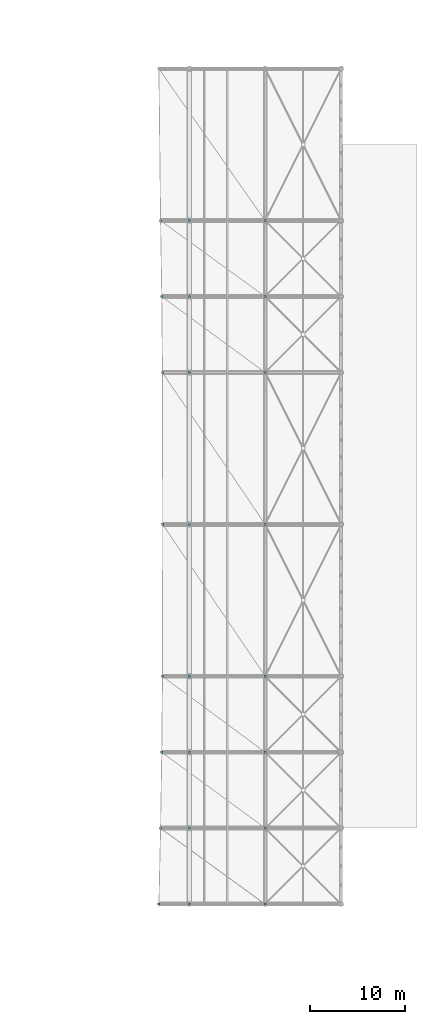
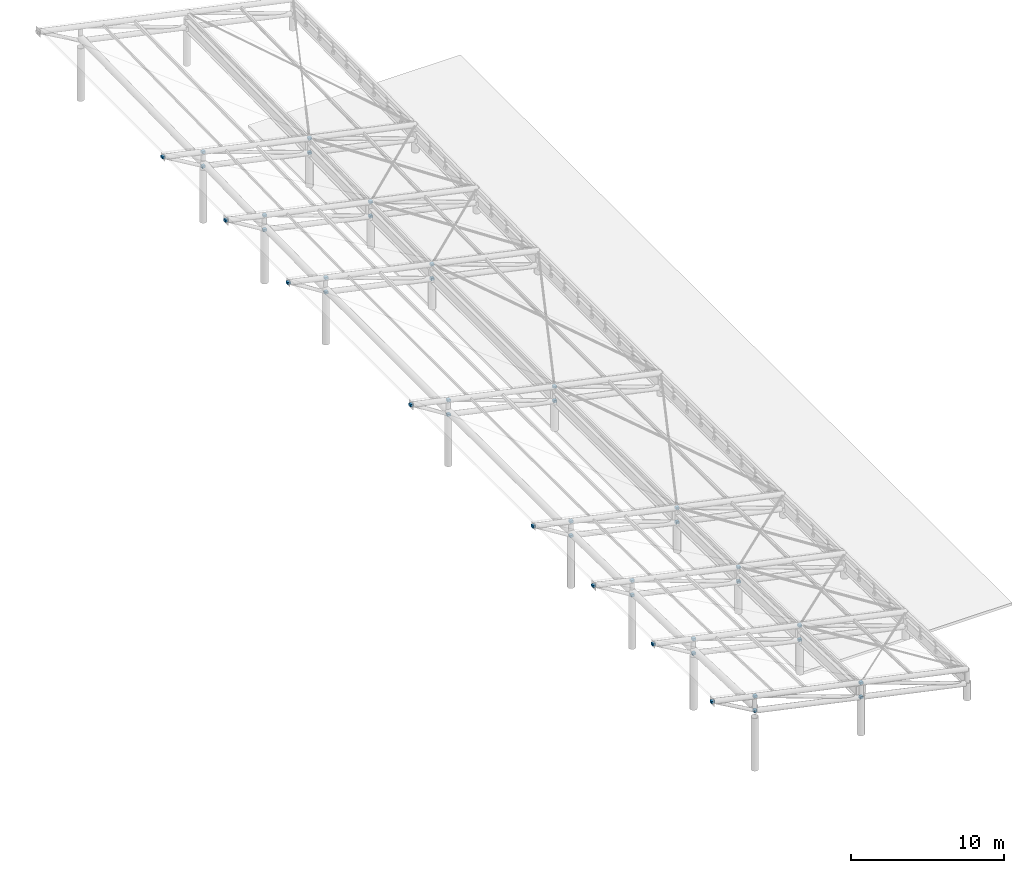
# One storey, part 36 of 41: 40 discrete accessories.
"""IFC4 building model written with IfcOpenShell, lengths in metres."""

from ifc_helpers import new_model, si_unit, direction, frame, origin, origin_2d, place, context, subcontext, project, spatial, rectangle, extrude, material, layer, layer_set, type_object, element, save


model = new_model("IFC4")

# Units and contexts
model_context = context("Model", 3, precision=1e-05, world=origin(), true_north=direction((0.0, 1.0)))
body_context = subcontext(model_context, "Body", "Model", "MODEL_VIEW")
ifc_project = project(units=[si_unit("LENGTHUNIT", "METRE"), si_unit("AREAUNIT", "SQUARE_METRE"), si_unit("VOLUMEUNIT", "CUBIC_METRE"), si_unit("PLANEANGLEUNIT", "RADIAN"), si_unit("MASSUNIT", "GRAM", prefix="KILO")], contexts=[model_context])

# Site, building, storey
site_placement = place(None, origin())
site = spatial("IfcSite", under=ifc_project, at=site_placement, CompositionType="ELEMENT")
building_placement = place(site_placement, origin())
building = spatial("IfcBuilding", under=site, at=building_placement, Name="Haebicheon Civic Stadium", CompositionType="ELEMENT")
storey_placement = place(building_placement, frame((0.0, 0.0, 27.0)))
storey = spatial("IfcBuildingStorey", under=building, at=storey_placement, Name="L07", CompositionType="ELEMENT", Elevation=27.0)

# Discrete accessories
ifc_material = material(Name="White painted steel SM490", Category="steel")
ifc_layer = layer(ifc_material, 0.179931640625, Name="White painted steel SM490")
ifc_layer_set = layer_set([ifc_layer], Name="White painted steel SM490")
discrete_accessory_type = type_object("IfcDiscreteAccessoryType", Name="BRK-END-PLT", PredefinedType="BRACKET", material=ifc_layer_set)
for number, where, z_axis, x_axis, name in (
    (1, (144.0, 48.0, 2.8671875), (0.0, 0.0, 1.0), (1.0, 0.0, 0.0), "CAN-EAST truss 1 node bolted end connection plate"),
    (2, (144.0, 48.0, 4.01708984375), (0.0, 0.0, 1.0), (1.0, 0.0, 0.0), "CAN-EAST truss 1 node bolted end connection plate"),
    (3, (136.0, 48.0, 4.5869140625), (0.0, 0.0, 1.0), (1.0, 0.0, 0.0), "CAN-EAST truss 1 node bolted end connection plate"),
    (4, (136.0, 48.0, 5.73681640625), (0.0, 0.0, 1.0), (1.0, 0.0, 0.0), "CAN-EAST truss 1 node bolted end connection plate"),
    (5, (132.800048828125, 48.0, 6.4248046875), (0.0, 0.0, 1.0), (1.0, 0.0, 0.0), "CAN-EAST truss 1 node bolted end connection plate"),
    (6, (144.0, 56.0, 2.578125), (0.0, 0.0, 1.0), (1.0, 0.0, 0.0), "CAN-EAST truss 2 node bolted end connection plate"),
    (7, (144.0, 56.0, 3.72802734375), (0.0, 0.0, 1.0), (1.0, 0.0, 0.0), "CAN-EAST truss 2 node bolted end connection plate"),
    (8, (136.0, 56.0, 4.2978515625), (0.0, 0.0, 1.0), (1.0, 0.0, 0.0), "CAN-EAST truss 2 node bolted end connection plate"),
    (9, (136.0, 56.0, 5.4482421875), (0.0, 0.0, 1.0), (1.0, 0.0, 0.0), "CAN-EAST truss 2 node bolted end connection plate"),
    (10, (132.97509765625, 56.0, 6.09814453125), (0.0, 0.0, 1.0), (1.0, 0.0, 0.0), "CAN-EAST truss 2 node bolted end connection plate"),
    (11, (144.0, 64.0, 2.3720703125), (0.0, 0.0, 1.0), (1.0, 0.0, 0.0), "CAN-EAST truss 3 node bolted end connection plate"),
    (12, (144.0, 64.0, 3.52197265625), (0.0, 0.0, 1.0), (1.0, 0.0, 0.0), "CAN-EAST truss 3 node bolted end connection plate"),
    (13, (136.0, 64.0, 4.091796875), (0.0, 0.0, 1.0), (1.0, 0.0, 0.0), "CAN-EAST truss 3 node bolted end connection plate"),
    (14, (136.0, 64.0, 5.2421875), (0.0, 0.0, 1.0), (1.0, 0.0, 0.0), "CAN-EAST truss 3 node bolted end connection plate"),
    (15, (133.10009765625, 64.0, 5.865234375), (0.0, 0.0, 1.0), (1.0, 0.0, 0.0), "CAN-EAST truss 3 node bolted end connection plate"),
    (16, (144.0, 72.0, 2.248046875), (0.0, 0.0, 1.0), (1.0, 0.0, 0.0), "CAN-EAST truss 4 node bolted end connection plate"),
    (17, (144.0, 72.0, 3.39794921875), (0.0, 0.0, 1.0), (1.0, 0.0, 0.0), "CAN-EAST truss 4 node bolted end connection plate"),
    (18, (136.0, 72.0, 3.96826171875), (0.0, 0.0, 1.0), (1.0, 0.0, 0.0), "CAN-EAST truss 4 node bolted end connection plate"),
    (19, (136.0, 72.0, 5.1181640625), (0.0, 0.0, 1.0), (1.0, 0.0, 0.0), "CAN-EAST truss 4 node bolted end connection plate"),
    (20, (133.175048828125, 72.0, 5.72509765625), (0.0, 0.0, 1.0), (1.0, 0.0, 0.0), "CAN-EAST truss 4 node bolted end connection plate"),
    (21, (144.0, 88.0, 2.20703125), (0.0, 0.0, 1.0), (1.0, 0.0, 0.0), "CAN-EAST truss 5 node bolted end connection plate"),
    (22, (144.0, 88.0, 3.35693359375), (0.0, 0.0, 1.0), (1.0, 0.0, 0.0), "CAN-EAST truss 5 node bolted end connection plate"),
    (23, (136.0, 88.0, 3.92724609375), (0.0, 0.0, 1.0), (1.0, 0.0, 0.0), "CAN-EAST truss 5 node bolted end connection plate"),
    (24, (136.0, 88.0, 5.0771484375), (0.0, 0.0, 1.0), (1.0, 0.0, 0.0), "CAN-EAST truss 5 node bolted end connection plate"),
    (25, (133.199951171875, 88.0, 5.67919921875), (0.0, 0.0, 1.0), (1.0, 0.0, 0.0), "CAN-EAST truss 5 node bolted end connection plate"),
    (26, (144.0, 104.0, 2.248046875), (0.0, 0.0, 1.0), (1.0, 0.0, 0.0), "CAN-EAST truss 6 node bolted end connection plate"),
    (27, (144.0, 104.0, 3.39794921875), (0.0, 0.0, 1.0), (1.0, 0.0, 0.0), "CAN-EAST truss 6 node bolted end connection plate"),
    (28, (136.0, 104.0, 3.96826171875), (0.0, 0.0, 1.0), (1.0, 0.0, 0.0), "CAN-EAST truss 6 node bolted end connection plate"),
    (29, (136.0, 104.0, 5.1181640625), (0.0, 0.0, 1.0), (1.0, 0.0, 0.0), "CAN-EAST truss 6 node bolted end connection plate"),
    (30, (133.175048828125, 104.0, 5.72509765625), (0.0, 0.0, 1.0), (1.0, 0.0, 0.0), "CAN-EAST truss 6 node bolted end connection plate"),
    (31, (144.0, 112.0, 2.3720703125), (0.0, 0.0, 1.0), (1.0, 0.0, 0.0), "CAN-EAST truss 7 node bolted end connection plate"),
    (32, (144.0, 112.0, 3.52197265625), (0.0, 0.0, 1.0), (1.0, 0.0, 0.0), "CAN-EAST truss 7 node bolted end connection plate"),
    (33, (136.0, 112.0, 4.091796875), (0.0, 0.0, 1.0), (1.0, 0.0, 0.0), "CAN-EAST truss 7 node bolted end connection plate"),
    (34, (136.0, 112.0, 5.2421875), (0.0, 0.0, 1.0), (1.0, 0.0, 0.0), "CAN-EAST truss 7 node bolted end connection plate"),
    (35, (133.10009765625, 112.0, 5.865234375), (0.0, 0.0, 1.0), (1.0, 0.0, 0.0), "CAN-EAST truss 7 node bolted end connection plate"),
    (36, (144.0, 120.0, 2.578125), (0.0, 0.0, 1.0), (1.0, 0.0, 0.0), "CAN-EAST truss 8 node bolted end connection plate"),
    (37, (144.0, 120.0, 3.72802734375), (0.0, 0.0, 1.0), (1.0, 0.0, 0.0), "CAN-EAST truss 8 node bolted end connection plate"),
    (38, (136.0, 120.0, 4.2978515625), (0.0, 0.0, 1.0), (1.0, 0.0, 0.0), "CAN-EAST truss 8 node bolted end connection plate"),
    (39, (136.0, 120.0, 5.4482421875), (0.0, 0.0, 1.0), (1.0, 0.0, 0.0), "CAN-EAST truss 8 node bolted end connection plate"),
    (40, (132.97509765625, 120.0, 6.09814453125), (0.0, 0.0, 1.0), (1.0, 0.0, 0.0), "CAN-EAST truss 8 node bolted end connection plate"),
):
    element("IfcDiscreteAccessory", number, at=place(storey_placement, frame(where, z_axis=z_axis, x_axis=x_axis)), inside=storey, type_object=discrete_accessory_type, material=ifc_layer_set, Name=name, PredefinedType="BRACKET", context=body_context, shape_type="SweptSolid", body=[
        extrude(rectangle(XDim=0.239990234375, YDim=0.239990234375, at=origin_2d()), origin(), (0.0, 0.0, 1.0), 0.179931640625),
    ])

save(model, "model.ifc")
